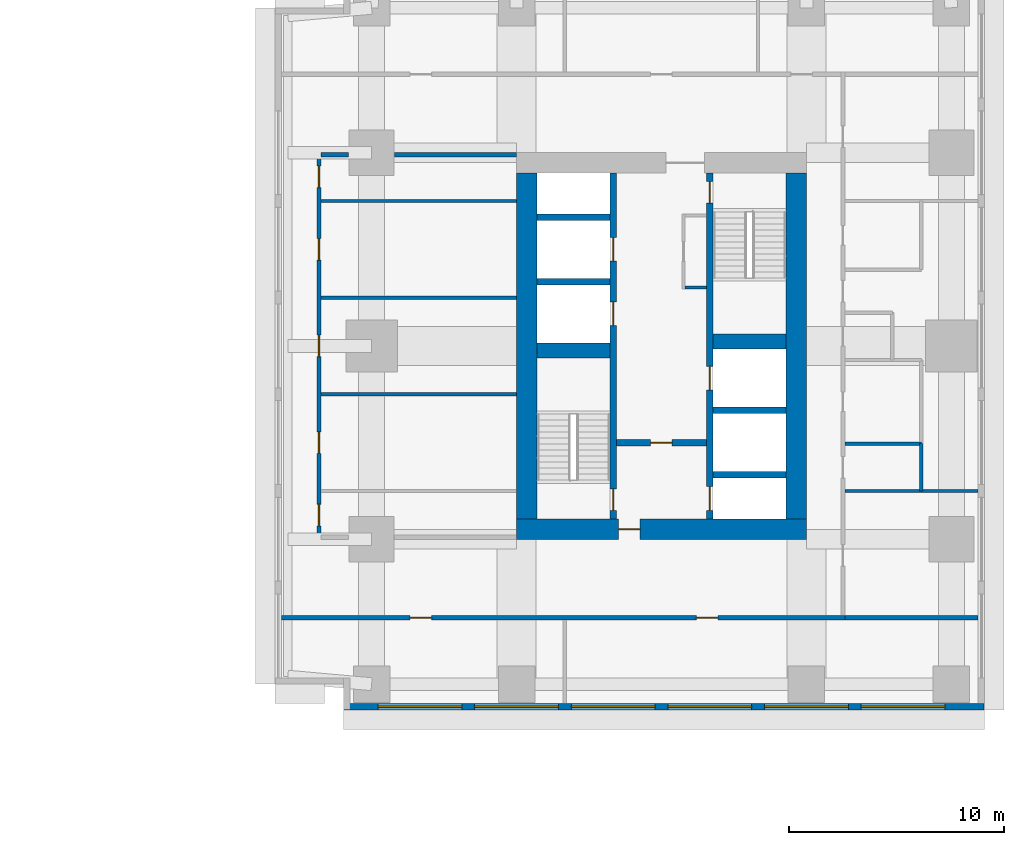
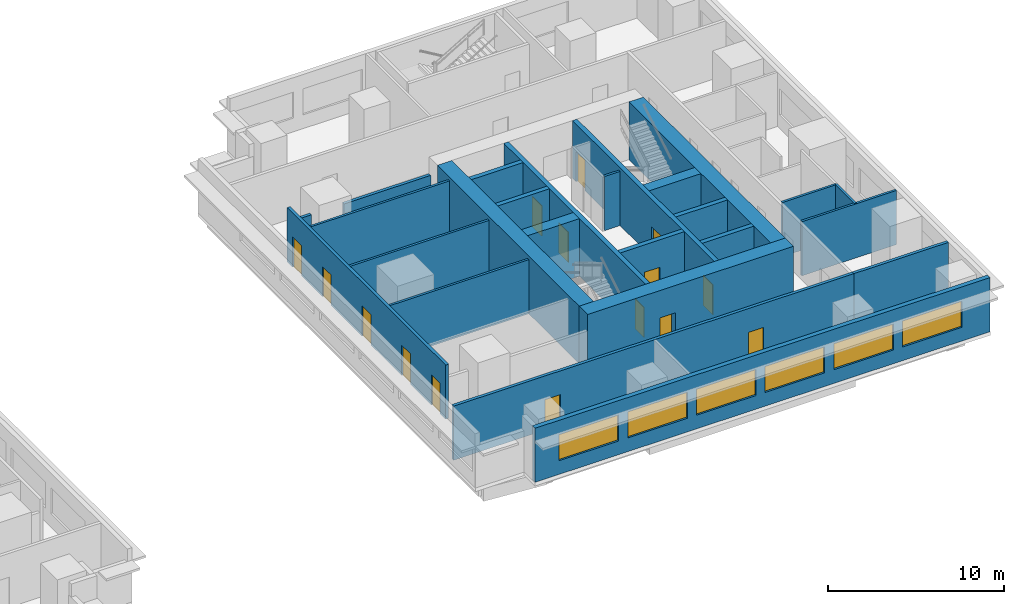
# One storey, part 6 of 11: 25 walls, 15 doors, 6 windows, 21 openings.
"""IFC4 building model written with IfcOpenShell, lengths in metres."""

from ifc_helpers import new_model, si_unit, direction, frame, frame_2d, origin, place, context, subcontext, project, spatial, rectangle, extrude, material, layer, layer_set, type_object, element, fill, save


model = new_model("IFC4")

# Units and contexts
model_context = context("Model", 3, precision=1e-05, world=origin(), true_north=direction((0.0, 1.0)))
body_context = subcontext(model_context, "Body", "Model", "MODEL_VIEW")
ifc_project = project(units=[si_unit("LENGTHUNIT", "METRE"), si_unit("AREAUNIT", "SQUARE_METRE"), si_unit("VOLUMEUNIT", "CUBIC_METRE"), si_unit("PLANEANGLEUNIT", "RADIAN"), si_unit("MASSUNIT", "GRAM", prefix="KILO")], contexts=[model_context])

# Site, building, storey
site_placement = place(None, origin())
site = spatial("IfcSite", under=ifc_project, at=site_placement, CompositionType="ELEMENT")
building_placement = place(site_placement, origin())
building = spatial("IfcBuilding", under=site, at=building_placement, Name="Namib Vertical Campus", CompositionType="ELEMENT")
storey_placement = place(building_placement, frame((0.0, 0.0, 89.0)))
storey = spatial("IfcBuildingStorey", under=building, at=storey_placement, Name="L20", CompositionType="ELEMENT", Elevation=89.0)

# Wall, openings, doors
ifc_material_1 = material(Name="Concrete C60/75", Category="concrete")
ifc_layer_1 = layer(ifc_material_1, 0.300048828125)
ifc_layer_set_1 = layer_set([ifc_layer_1], Name="Concrete C60/75")
wall_type_1 = type_object("IfcWallType", Name="Core inner wall 300", PredefinedType="SHEAR", material=ifc_layer_set_1)
wall_1_placement = place(storey_placement, frame((78.75, 12.199951171875, 0.0), z_axis=(0.0, 0.0, 1.0), x_axis=(0.0, 1.0, 0.0)))
wall_1 = element("IfcWall", 1, at=wall_1_placement, inside=storey, type_object=wall_type_1, Name="Core inner wall B L20 W1", PredefinedType="SHEAR", context=body_context, shape_type="SweptSolid", body=[
    extrude(rectangle(XDim=16.10009765625, YDim=0.300048828125, at=frame_2d((8.050048828125, 0.0))), origin(), (0.0, 0.0, 1.0), 4.0),
])
opening_1_placement = place(wall_1_placement, frame((0.39990234375, 0.0, 0.0)))
opening_1 = element("IfcOpeningElement", 2, at=opening_1_placement, cuts=wall_1, Name="Opening FD1", PredefinedType="OPENING", context=body_context, shape_type="SweptSolid", body=[
    extrude(rectangle(XDim=1.0, YDim=2.10009765625, at=frame_2d((0.5, 1.050048828125))), frame((0.0, 0.159912109375, 0.0), z_axis=(0.0, -1.0, 0.0), x_axis=(1.0, 0.0, 0.0)), (0.0, 0.0, 1.0), 0.320068359375),
])
opening_2_placement = place(wall_1_placement, frame((9.0, 0.0, 0.0)))
opening_2 = element("IfcOpeningElement", 3, at=opening_2_placement, cuts=wall_1, Name="Opening LD1", PredefinedType="OPENING", context=body_context, shape_type="SweptSolid", body=[
    extrude(rectangle(XDim=1.10009765625, YDim=2.10009765625, at=frame_2d((0.550048828125, 1.050048828125))), frame((0.0, 0.159912109375, 0.0), z_axis=(0.0, -1.0, 0.0), x_axis=(1.0, 0.0, 0.0)), (0.0, 0.0, 1.0), 0.320068359375),
])
opening_3_placement = place(wall_1_placement, frame((12.0, 0.0, 0.0)))
opening_3 = element("IfcOpeningElement", 4, at=opening_3_placement, cuts=wall_1, Name="Opening LD1", PredefinedType="OPENING", context=body_context, shape_type="SweptSolid", body=[
    extrude(rectangle(XDim=1.10009765625, YDim=2.10009765625, at=frame_2d((0.550048828125, 1.050048828125))), frame((0.0, 0.159912109375, 0.0), z_axis=(0.0, -1.0, 0.0), x_axis=(1.0, 0.0, 0.0)), (0.0, 0.0, 1.0), 0.320068359375),
])
ifc_material_2 = material(Name="Steel fire door", Category="steel")
door_type_1 = type_object("IfcDoorType", Name="Fire door 1000x2100", OperationType="SINGLE_SWING_RIGHT", PredefinedType="DOOR", material=ifc_material_2)
door_1_placement = place(opening_1_placement, origin())
door_1 = element("IfcDoor", 5, at=door_1_placement, inside=storey, type_object=door_type_1, Name="Stair door FD1 B L20 S1", OperationType="SINGLE_SWING_LEFT", OverallHeight=2.10009765625, OverallWidth=1.0, PredefinedType="DOOR", context=body_context, shape_type="SweptSolid", body=[
    extrude(rectangle(XDim=1.0, YDim=2.10009765625, at=frame_2d((0.5, 1.050048828125))), frame((0.0, 0.02490234375, 0.0), z_axis=(0.0, -1.0, 0.0), x_axis=(1.0, 0.0, 0.0)), (0.0, 0.0, 1.0), 0.050048828125),
])
fill(opening_1, door_1)
ifc_material_3 = material(Name="Stainless steel lift door", Category="steel")
door_type_2 = type_object("IfcDoorType", Name="Lift landing door 1100x2100", OperationType="DOUBLE_DOOR_SLIDING", PredefinedType="DOOR", material=ifc_material_3)
door_2_placement = place(opening_2_placement, origin())
door_2 = element("IfcDoor", 6, at=door_2_placement, inside=storey, type_object=door_type_2, Name="Lift landing door LD1 B-P1 L20", OperationType="DOUBLE_DOOR_SLIDING", OverallHeight=2.10009765625, OverallWidth=1.10009765625, PredefinedType="DOOR", context=body_context, shape_type="SweptSolid", body=[
    extrude(rectangle(XDim=1.10009765625, YDim=2.10009765625, at=frame_2d((0.550048828125, 1.050048828125))), frame((0.0, 0.02490234375, 0.0), z_axis=(0.0, -1.0, 0.0), x_axis=(1.0, 0.0, 0.0)), (0.0, 0.0, 1.0), 0.050048828125),
])
fill(opening_2, door_2)
door_3_placement = place(opening_3_placement, origin())
door_3 = element("IfcDoor", 7, at=door_3_placement, inside=storey, type_object=door_type_2, Name="Lift landing door LD1 B-P2 L20", OperationType="DOUBLE_DOOR_SLIDING", OverallHeight=2.10009765625, OverallWidth=1.10009765625, PredefinedType="DOOR", context=body_context, shape_type="SweptSolid", body=[
    extrude(rectangle(XDim=1.10009765625, YDim=2.10009765625, at=frame_2d((0.550048828125, 1.050048828125))), frame((0.0, 0.02490234375, 0.0), z_axis=(0.0, -1.0, 0.0), x_axis=(1.0, 0.0, 0.0)), (0.0, 0.0, 1.0), 0.050048828125),
])
fill(opening_3, door_3)

wall_2_placement = place(storey_placement, frame((83.25, 12.199951171875, 0.0), z_axis=(0.0, 0.0, 1.0), x_axis=(0.0, 1.0, 0.0)))
wall_2 = element("IfcWall", 8, at=wall_2_placement, inside=storey, type_object=wall_type_1, Name="Core inner wall B L20 W2", PredefinedType="SHEAR", context=body_context, shape_type="SweptSolid", body=[
    extrude(rectangle(XDim=16.10009765625, YDim=0.300048828125, at=frame_2d((8.050048828125, 0.0))), origin(), (0.0, 0.0, 1.0), 4.0),
])
opening_4_placement = place(wall_2_placement, frame((14.699951171875, 0.0, 0.0)))
opening_4 = element("IfcOpeningElement", 9, at=opening_4_placement, cuts=wall_2, Name="Opening FD1", PredefinedType="OPENING", context=body_context, shape_type="SweptSolid", body=[
    extrude(rectangle(XDim=1.0, YDim=2.10009765625, at=frame_2d((0.5, 1.050048828125))), frame((0.0, 0.159912109375, 0.0), z_axis=(0.0, -1.0, 0.0), x_axis=(1.0, 0.0, 0.0)), (0.0, 0.0, 1.0), 0.320068359375),
])
opening_5_placement = place(wall_2_placement, frame((0.39990234375, 0.0, 0.0)))
opening_5 = element("IfcOpeningElement", 10, at=opening_5_placement, cuts=wall_2, Name="Opening LD1", PredefinedType="OPENING", context=body_context, shape_type="SweptSolid", body=[
    extrude(rectangle(XDim=1.10009765625, YDim=2.10009765625, at=frame_2d((0.550048828125, 1.050048828125))), frame((0.0, 0.159912109375, 0.0), z_axis=(0.0, -1.0, 0.0), x_axis=(1.0, 0.0, 0.0)), (0.0, 0.0, 1.0), 0.320068359375),
])
opening_6_placement = place(wall_2_placement, frame((6.0, 0.0, 0.0)))
opening_6 = element("IfcOpeningElement", 11, at=opening_6_placement, cuts=wall_2, Name="Opening LD1", PredefinedType="OPENING", context=body_context, shape_type="SweptSolid", body=[
    extrude(rectangle(XDim=1.10009765625, YDim=2.10009765625, at=frame_2d((0.550048828125, 1.050048828125))), frame((0.0, 0.159912109375, 0.0), z_axis=(0.0, -1.0, 0.0), x_axis=(1.0, 0.0, 0.0)), (0.0, 0.0, 1.0), 0.320068359375),
])
door_4_placement = place(opening_4_placement, frame((1.0, 0.0, 0.0), z_axis=(0.0, 0.0, 1.0), x_axis=(-1.0, 0.0, 0.0)))
door_4 = element("IfcDoor", 12, at=door_4_placement, inside=storey, type_object=door_type_1, Name="Stair door FD1 B L20 S2", OperationType="SINGLE_SWING_LEFT", OverallHeight=2.10009765625, OverallWidth=1.0, PredefinedType="DOOR", context=body_context, shape_type="SweptSolid", body=[
    extrude(rectangle(XDim=1.0, YDim=2.10009765625, at=frame_2d((0.5, 1.050048828125))), frame((0.0, 0.02490234375, 0.0), z_axis=(0.0, -1.0, 0.0), x_axis=(1.0, 0.0, 0.0)), (0.0, 0.0, 1.0), 0.050048828125),
])
fill(opening_4, door_4)
door_5_placement = place(opening_5_placement, origin())
door_5 = element("IfcDoor", 13, at=door_5_placement, inside=storey, type_object=door_type_2, Name="Lift landing door LD1 B-FL1 L20", OperationType="DOUBLE_DOOR_SLIDING", OverallHeight=2.10009765625, OverallWidth=1.10009765625, PredefinedType="DOOR", context=body_context, shape_type="SweptSolid", body=[
    extrude(rectangle(XDim=1.10009765625, YDim=2.10009765625, at=frame_2d((0.550048828125, 1.050048828125))), frame((0.0, 0.02490234375, 0.0), z_axis=(0.0, -1.0, 0.0), x_axis=(1.0, 0.0, 0.0)), (0.0, 0.0, 1.0), 0.050048828125),
])
fill(opening_5, door_5)
door_6_placement = place(opening_6_placement, origin())
door_6 = element("IfcDoor", 14, at=door_6_placement, inside=storey, type_object=door_type_2, Name="Lift landing door LD1 B-P5 L20", OperationType="DOUBLE_DOOR_SLIDING", OverallHeight=2.10009765625, OverallWidth=1.10009765625, PredefinedType="DOOR", context=body_context, shape_type="SweptSolid", body=[
    extrude(rectangle(XDim=1.10009765625, YDim=2.10009765625, at=frame_2d((0.550048828125, 1.050048828125))), frame((0.0, 0.02490234375, 0.0), z_axis=(0.0, -1.0, 0.0), x_axis=(1.0, 0.0, 0.0)), (0.0, 0.0, 1.0), 0.050048828125),
])
fill(opening_6, door_6)

# Wall, opening, door
wall_3_placement = place(storey_placement, frame((78.89990234375, 15.75, 0.0), z_axis=(0.0, 0.0, 1.0), x_axis=(1.0, 0.0, 0.0)))
wall_3 = element("IfcWall", 15, at=wall_3_placement, inside=storey, type_object=wall_type_1, Name="Core inner wall B L20 W4", PredefinedType="SHEAR", context=body_context, shape_type="SweptSolid", body=[
    extrude(rectangle(XDim=4.2001953125, YDim=0.300048828125, at=frame_2d((2.10009765625, 0.0))), origin(), (0.0, 0.0, 1.0), 4.0),
])
opening_7_placement = place(wall_3_placement, frame((1.60009765625, 0.0, 0.0)))
opening_7 = element("IfcOpeningElement", 16, at=opening_7_placement, cuts=wall_3, Name="Opening FD5", PredefinedType="OPENING", context=body_context, shape_type="SweptSolid", body=[
    extrude(rectangle(XDim=1.0, YDim=2.10009765625, at=frame_2d((0.5, 1.050048828125))), frame((0.0, 0.159912109375, 0.0), z_axis=(0.0, -1.0, 0.0), x_axis=(1.0, 0.0, 0.0)), (0.0, 0.0, 1.0), 0.320068359375),
])
ifc_material_4 = material(Name="Steel fire door", Category="steel")
door_type_3 = type_object("IfcDoorType", Name="Fire door 1000x2100 120 min", OperationType="SINGLE_SWING_RIGHT", PredefinedType="DOOR", material=ifc_material_4)
door_7_placement = place(opening_7_placement, frame((1.0, 0.0, 0.0), z_axis=(0.0, 0.0, 1.0), x_axis=(-1.0, 0.0, 0.0)))
door_7 = element("IfcDoor", 17, at=door_7_placement, inside=storey, type_object=door_type_3, Name="Lobby door FD5 B L20", OperationType="SINGLE_SWING_RIGHT", OverallHeight=2.10009765625, OverallWidth=1.0, PredefinedType="DOOR", context=body_context, shape_type="SweptSolid", body=[
    extrude(rectangle(XDim=1.0, YDim=2.10009765625, at=frame_2d((0.5, 1.050048828125))), frame((0.0, 0.02490234375, 0.0), z_axis=(0.0, -1.0, 0.0), x_axis=(1.0, 0.0, 0.0)), (0.0, 0.0, 1.0), 0.050048828125),
])
fill(opening_7, door_7)

# Walls
for number, where, z_axis, x_axis, name in (
    (18, (83.39990234375, 14.25, 0.0), (0.0, 0.0, 1.0), (1.0, 0.0, 0.0), "Core inner wall B L20 W5"),
    (19, (83.39990234375, 17.25, 0.0), (0.0, 0.0, 1.0), (1.0, 0.0, 0.0), "Core inner wall B L20 W6"),
    (20, (75.199951171875, 23.25, 0.0), (0.0, 0.0, 1.0), (1.0, 0.0, 0.0), "Core inner wall B L20 W8"),
    (21, (75.199951171875, 26.25, 0.0), (0.0, 0.0, 1.0), (1.0, 0.0, 0.0), "Core inner wall B L20 W9"),
):
    element("IfcWall", number, at=place(storey_placement, frame(where, z_axis=z_axis, x_axis=x_axis)), inside=storey, type_object=wall_type_1, Name=name, PredefinedType="SHEAR", context=body_context, shape_type="SweptSolid", body=[
        extrude(rectangle(XDim=3.400146484375, YDim=0.300048828125, at=frame_2d((1.7001953125, 0.0))), origin(), (0.0, 0.0, 1.0), 4.0),
    ])
ifc_material_5 = material(Name="Concrete C60/75", Category="concrete")
ifc_layer_2 = layer(ifc_material_5, 0.699951171875)
ifc_layer_set_2 = layer_set([ifc_layer_2], Name="Concrete C60/75")
wall_type_2 = type_object("IfcWallType", Name="Core shear wall 700", PredefinedType="SHEAR", material=ifc_layer_set_2)
for number, where, z_axis, x_axis, name in (
    (22, (75.199951171875, 20.050048828125, 0.0), (0.0, 0.0, 1.0), (1.0, 0.0, 0.0), "Core shear wall B L20 W3"),
    (23, (83.39990234375, 20.449951171875, 0.0), (0.0, 0.0, 1.0), (1.0, 0.0, 0.0), "Core shear wall B L20 W7"),
):
    element("IfcWall", number, at=place(storey_placement, frame(where, z_axis=z_axis, x_axis=x_axis)), inside=storey, type_object=wall_type_2, Name=name, PredefinedType="SHEAR", context=body_context, shape_type="SweptSolid", body=[
        extrude(rectangle(XDim=3.400146484375, YDim=0.699951171875, at=frame_2d((1.7001953125, 0.0))), origin(), (0.0, 0.0, 1.0), 4.0),
    ])

# Wall, opening, door
ifc_material_6 = material(Name="Concrete C60/75", Category="concrete")
ifc_layer_3 = layer(ifc_material_6, 0.949951171875)
ifc_layer_set_3 = layer_set([ifc_layer_3], Name="Concrete C60/75")
wall_type_3 = type_object("IfcWallType", Name="Core wall 950", PredefinedType="SHEAR", material=ifc_layer_set_3)
wall_4_placement = place(storey_placement, frame((74.25, 11.72509765625, 0.0), z_axis=(0.0, 0.0, 1.0), x_axis=(1.0, 0.0, 0.0)))
wall_4 = element("IfcWall", 24, at=wall_4_placement, inside=storey, type_object=wall_type_3, Name="Core wall B L20 1", PredefinedType="SHEAR", context=body_context, shape_type="SweptSolid", body=[
    extrude(rectangle(XDim=13.5, YDim=0.949951171875, at=frame_2d((6.75, 0.0))), origin(), (0.0, 0.0, 1.0), 4.0),
])
opening_8_placement = place(wall_4_placement, frame((4.75, 0.0, 0.0)))
opening_8 = element("IfcOpeningElement", 25, at=opening_8_placement, cuts=wall_4, Name="Opening FD5", PredefinedType="OPENING", context=body_context, shape_type="SweptSolid", body=[
    extrude(rectangle(XDim=1.0, YDim=2.10009765625, at=frame_2d((0.5, 1.050048828125))), frame((0.0, 0.48486328125, 0.0), z_axis=(0.0, -1.0, 0.0), x_axis=(1.0, 0.0, 0.0)), (0.0, 0.0, 1.0), 0.969970703125),
])
door_8_placement = place(opening_8_placement, origin())
door_8 = element("IfcDoor", 26, at=door_8_placement, inside=storey, type_object=door_type_3, Name="Firefighting lobby door FD5 B L20", OperationType="SINGLE_SWING_LEFT", OverallHeight=2.10009765625, OverallWidth=1.0, PredefinedType="DOOR", context=body_context, shape_type="SweptSolid", body=[
    extrude(rectangle(XDim=1.0, YDim=2.10009765625, at=frame_2d((0.5, 1.050048828125))), frame((0.0, 0.02490234375, 0.0), z_axis=(0.0, -1.0, 0.0), x_axis=(1.0, 0.0, 0.0)), (0.0, 0.0, 1.0), 0.050048828125),
])
fill(opening_8, door_8)

# Walls
for number, where, z_axis, x_axis, name in (
    (27, (87.27490234375, 12.199951171875, 0.0), (0.0, 0.0, 1.0), (0.0, 1.0, 0.0), "Core wall B L20 2"),
    (28, (74.72509765625, 28.300048828125, 0.0), (0.0, 0.0, 1.0), (0.0, -1.0, 0.0), "Core wall B L20 4"),
):
    element("IfcWall", number, at=place(storey_placement, frame(where, z_axis=z_axis, x_axis=x_axis)), inside=storey, type_object=wall_type_3, Name=name, PredefinedType="SHEAR", context=body_context, shape_type="SweptSolid", body=[
        extrude(rectangle(XDim=16.10009765625, YDim=0.949951171875, at=frame_2d((8.050048828125, 0.0))), origin(), (0.0, 0.0, 1.0), 4.0),
    ])

# Wall, openings, doors
ifc_material_7 = material(Name="Concrete masonry", Category="masonry")
ifc_layer_4 = layer(ifc_material_7, 0.199951171875)
ifc_layer_set_4 = layer_set([ifc_layer_4], Name="Corridor wall 200")
wall_type_4 = type_object("IfcWallType", Name="Corridor wall 200", PredefinedType="SOLIDWALL", material=ifc_layer_set_4)
wall_5_placement = place(storey_placement, frame((63.300048828125, 7.60009765625, 0.0), z_axis=(0.0, 0.0, 1.0), x_axis=(1.0, 0.0, 0.0)))
wall_5 = element("IfcWall", 29, at=wall_5_placement, inside=storey, type_object=wall_type_4, Name="Corridor wall B L20 CS", PredefinedType="SOLIDWALL", context=body_context, shape_type="SweptSolid", body=[
    extrude(rectangle(XDim=26.25, YDim=0.199951171875, at=frame_2d((13.125, 0.0))), origin(), (0.0, 0.0, 1.0), 3.75),
])
opening_9_placement = place(wall_5_placement, frame((6.0, 0.0, 0.0)))
opening_9 = element("IfcOpeningElement", 30, at=opening_9_placement, cuts=wall_5, Name="Opening CD1", PredefinedType="OPENING", context=body_context, shape_type="SweptSolid", body=[
    extrude(rectangle(XDim=1.0, YDim=2.10009765625, at=frame_2d((0.5, 1.050048828125))), frame((0.0, 0.10986328125, 0.0), z_axis=(0.0, -1.0, 0.0), x_axis=(1.0, 0.0, 0.0)), (0.0, 0.0, 1.0), 0.219970703125),
])
opening_10_placement = place(wall_5_placement, frame((19.324951171875, 0.0, 0.0)))
opening_10 = element("IfcOpeningElement", 31, at=opening_10_placement, cuts=wall_5, Name="Opening CD1", PredefinedType="OPENING", context=body_context, shape_type="SweptSolid", body=[
    extrude(rectangle(XDim=1.0, YDim=2.10009765625, at=frame_2d((0.5, 1.050048828125))), frame((0.0, 0.10986328125, 0.0), z_axis=(0.0, -1.0, 0.0), x_axis=(1.0, 0.0, 0.0)), (0.0, 0.0, 1.0), 0.219970703125),
])
ifc_material_8 = material(Name="Timber fire door leaf", Category="wood")
door_type_4 = type_object("IfcDoorType", Name="Corridor door 1000x2100 20 min", OperationType="SINGLE_SWING_LEFT", PredefinedType="DOOR", material=ifc_material_8)
door_9_placement = place(opening_9_placement, frame((1.0, 0.0, 0.0), z_axis=(0.0, 0.0, 1.0), x_axis=(-1.0, 0.0, 0.0)))
door_9 = element("IfcDoor", 32, at=door_9_placement, inside=storey, type_object=door_type_4, Name="Door CD1 B20-01", OperationType="SINGLE_SWING_LEFT", OverallHeight=2.10009765625, OverallWidth=1.0, PredefinedType="DOOR", context=body_context, shape_type="SweptSolid", body=[
    extrude(rectangle(XDim=1.0, YDim=2.10009765625, at=frame_2d((0.5, 1.050048828125))), frame((0.0, 0.02490234375, 0.0), z_axis=(0.0, -1.0, 0.0), x_axis=(1.0, 0.0, 0.0)), (0.0, 0.0, 1.0), 0.050048828125),
])
fill(opening_9, door_9)
door_10_placement = place(opening_10_placement, frame((1.0, 0.0, 0.0), z_axis=(0.0, 0.0, 1.0), x_axis=(-1.0, 0.0, 0.0)))
door_10 = element("IfcDoor", 33, at=door_10_placement, inside=storey, type_object=door_type_4, Name="Door CD1 B20-02", OperationType="SINGLE_SWING_RIGHT", OverallHeight=2.10009765625, OverallWidth=1.0, PredefinedType="DOOR", context=body_context, shape_type="SweptSolid", body=[
    extrude(rectangle(XDim=1.0, YDim=2.10009765625, at=frame_2d((0.5, 1.050048828125))), frame((0.0, 0.02490234375, 0.0), z_axis=(0.0, -1.0, 0.0), x_axis=(1.0, 0.0, 0.0)), (0.0, 0.0, 1.0), 0.050048828125),
])
fill(opening_10, door_10)

wall_6_placement = place(storey_placement, frame((65.050048828125, 29.25, 0.0), z_axis=(0.0, 0.0, 1.0), x_axis=(0.0, -1.0, 0.0)))
wall_6 = element("IfcWall", 34, at=wall_6_placement, inside=storey, type_object=wall_type_4, Name="Corridor wall B L20 CG", PredefinedType="SOLIDWALL", context=body_context, shape_type="SweptSolid", body=[
    extrude(rectangle(XDim=18.0, YDim=0.199951171875, at=frame_2d((9.0, 0.0))), origin(), (0.0, 0.0, 1.0), 3.75),
])
opening_11_placement = place(wall_6_placement, frame((16.375, 0.0, 0.0)))
opening_11 = element("IfcOpeningElement", 35, at=opening_11_placement, cuts=wall_6, Name="Opening CD1", PredefinedType="OPENING", context=body_context, shape_type="SweptSolid", body=[
    extrude(rectangle(XDim=1.0, YDim=2.10009765625, at=frame_2d((0.5, 1.050048828125))), frame((0.0, 0.10986328125, 0.0), z_axis=(0.0, -1.0, 0.0), x_axis=(1.0, 0.0, 0.0)), (0.0, 0.0, 1.0), 0.219970703125),
])
opening_12_placement = place(wall_6_placement, frame((13.0, 0.0, 0.0)))
opening_12 = element("IfcOpeningElement", 36, at=opening_12_placement, cuts=wall_6, Name="Opening CD1", PredefinedType="OPENING", context=body_context, shape_type="SweptSolid", body=[
    extrude(rectangle(XDim=1.0, YDim=2.10009765625, at=frame_2d((0.5, 1.050048828125))), frame((0.0, 0.10986328125, 0.0), z_axis=(0.0, -1.0, 0.0), x_axis=(1.0, 0.0, 0.0)), (0.0, 0.0, 1.0), 0.219970703125),
])
opening_13_placement = place(wall_6_placement, frame((8.5, 0.0, 0.0)))
opening_13 = element("IfcOpeningElement", 37, at=opening_13_placement, cuts=wall_6, Name="Opening CD1", PredefinedType="OPENING", context=body_context, shape_type="SweptSolid", body=[
    extrude(rectangle(XDim=1.0, YDim=2.10009765625, at=frame_2d((0.5, 1.050048828125))), frame((0.0, 0.10986328125, 0.0), z_axis=(0.0, -1.0, 0.0), x_axis=(1.0, 0.0, 0.0)), (0.0, 0.0, 1.0), 0.219970703125),
])
opening_14_placement = place(wall_6_placement, frame((4.0, 0.0, 0.0)))
opening_14 = element("IfcOpeningElement", 38, at=opening_14_placement, cuts=wall_6, Name="Opening CD1", PredefinedType="OPENING", context=body_context, shape_type="SweptSolid", body=[
    extrude(rectangle(XDim=1.0, YDim=2.10009765625, at=frame_2d((0.5, 1.050048828125))), frame((0.0, 0.10986328125, 0.0), z_axis=(0.0, -1.0, 0.0), x_axis=(1.0, 0.0, 0.0)), (0.0, 0.0, 1.0), 0.219970703125),
])
opening_15_placement = place(wall_6_placement, frame((0.625, 0.0, 0.0)))
opening_15 = element("IfcOpeningElement", 39, at=opening_15_placement, cuts=wall_6, Name="Opening CD1", PredefinedType="OPENING", context=body_context, shape_type="SweptSolid", body=[
    extrude(rectangle(XDim=1.0, YDim=2.10009765625, at=frame_2d((0.5, 1.050048828125))), frame((0.0, 0.10986328125, 0.0), z_axis=(0.0, -1.0, 0.0), x_axis=(1.0, 0.0, 0.0)), (0.0, 0.0, 1.0), 0.219970703125),
])
door_11_placement = place(opening_11_placement, origin())
door_11 = element("IfcDoor", 40, at=door_11_placement, inside=storey, type_object=door_type_4, Name="Door CD1 B20-13", OperationType="SINGLE_SWING_LEFT", OverallHeight=2.10009765625, OverallWidth=1.0, PredefinedType="DOOR", context=body_context, shape_type="SweptSolid", body=[
    extrude(rectangle(XDim=1.0, YDim=2.10009765625, at=frame_2d((0.5, 1.050048828125))), frame((0.0, 0.02490234375, 0.0), z_axis=(0.0, -1.0, 0.0), x_axis=(1.0, 0.0, 0.0)), (0.0, 0.0, 1.0), 0.050048828125),
])
fill(opening_11, door_11)
door_12_placement = place(opening_12_placement, origin())
door_12 = element("IfcDoor", 41, at=door_12_placement, inside=storey, type_object=door_type_4, Name="Door CD1 B20-14", OperationType="SINGLE_SWING_LEFT", OverallHeight=2.10009765625, OverallWidth=1.0, PredefinedType="DOOR", context=body_context, shape_type="SweptSolid", body=[
    extrude(rectangle(XDim=1.0, YDim=2.10009765625, at=frame_2d((0.5, 1.050048828125))), frame((0.0, 0.02490234375, 0.0), z_axis=(0.0, -1.0, 0.0), x_axis=(1.0, 0.0, 0.0)), (0.0, 0.0, 1.0), 0.050048828125),
])
fill(opening_12, door_12)
door_13_placement = place(opening_13_placement, origin())
door_13 = element("IfcDoor", 42, at=door_13_placement, inside=storey, type_object=door_type_4, Name="Door CD1 B20-15", OperationType="SINGLE_SWING_LEFT", OverallHeight=2.10009765625, OverallWidth=1.0, PredefinedType="DOOR", context=body_context, shape_type="SweptSolid", body=[
    extrude(rectangle(XDim=1.0, YDim=2.10009765625, at=frame_2d((0.5, 1.050048828125))), frame((0.0, 0.02490234375, 0.0), z_axis=(0.0, -1.0, 0.0), x_axis=(1.0, 0.0, 0.0)), (0.0, 0.0, 1.0), 0.050048828125),
])
fill(opening_13, door_13)
door_14_placement = place(opening_14_placement, origin())
door_14 = element("IfcDoor", 43, at=door_14_placement, inside=storey, type_object=door_type_4, Name="Door CD1 B20-16", OperationType="SINGLE_SWING_LEFT", OverallHeight=2.10009765625, OverallWidth=1.0, PredefinedType="DOOR", context=body_context, shape_type="SweptSolid", body=[
    extrude(rectangle(XDim=1.0, YDim=2.10009765625, at=frame_2d((0.5, 1.050048828125))), frame((0.0, 0.02490234375, 0.0), z_axis=(0.0, -1.0, 0.0), x_axis=(1.0, 0.0, 0.0)), (0.0, 0.0, 1.0), 0.050048828125),
])
fill(opening_14, door_14)
door_15_placement = place(opening_15_placement, origin())
door_15 = element("IfcDoor", 44, at=door_15_placement, inside=storey, type_object=door_type_4, Name="Door CD1 B20-17", OperationType="SINGLE_SWING_LEFT", OverallHeight=2.10009765625, OverallWidth=1.0, PredefinedType="DOOR", context=body_context, shape_type="SweptSolid", body=[
    extrude(rectangle(XDim=1.0, YDim=2.10009765625, at=frame_2d((0.5, 1.050048828125))), frame((0.0, 0.02490234375, 0.0), z_axis=(0.0, -1.0, 0.0), x_axis=(1.0, 0.0, 0.0)), (0.0, 0.0, 1.0), 0.050048828125),
])
fill(opening_15, door_15)

# Walls
wall_7_placement = place(storey_placement, frame((65.14990234375, 29.14990234375, 0.0), z_axis=(0.0, 0.0, 1.0), x_axis=(1.0, 0.0, 0.0)))
element("IfcWall", 45, at=wall_7_placement, inside=storey, type_object=wall_type_4, Name="Corridor wall B L20 GN", PredefinedType="SOLIDWALL", context=body_context, shape_type="SweptSolid", body=[
    extrude(rectangle(XDim=1.280029296875, YDim=0.199951171875, at=frame_2d((0.64013671875, 0.0))), origin(), (0.0, 0.0, 1.0), 2.85009765625),
])
wall_8_placement = place(storey_placement, frame((68.570068359375, 29.14990234375, 0.0), z_axis=(0.0, 0.0, 1.0), x_axis=(1.0, 0.0, 0.0)))
element("IfcWall", 46, at=wall_8_placement, inside=storey, type_object=wall_type_4, Name="Corridor wall B L20 GN", PredefinedType="SOLIDWALL", context=body_context, shape_type="SweptSolid", body=[
    extrude(rectangle(XDim=5.679931640625, YDim=0.199951171875, at=frame_2d((2.83984375, 0.0))), origin(), (0.0, 0.0, 1.0), 2.85009765625),
])
wall_9_placement = place(storey_placement, frame((89.550048828125, 7.60009765625, 0.0), z_axis=(0.0, 0.0, 1.0), x_axis=(1.0, 0.0, 0.0)))
element("IfcWall", 47, at=wall_9_placement, inside=storey, type_object=wall_type_4, Name="Partition B L20 BSE", PredefinedType="SOLIDWALL", context=body_context, shape_type="SweptSolid", body=[
    extrude(rectangle(XDim=6.199951171875, YDim=0.199951171875, at=frame_2d((3.10009765625, 0.0))), origin(), (0.0, 0.0, 1.0), 3.75),
])

# Wall, openings, windows
ifc_material_9 = material(Name="Concrete C40/50", Category="concrete")
ifc_layer_5 = layer(ifc_material_9, 0.300048828125)
ifc_layer_set_5 = layer_set([ifc_layer_5], Name="Concrete C40/50")
wall_type_5 = type_object("IfcWallType", Name="External wall 300 board-marked concrete", PredefinedType="STANDARD", material=ifc_layer_set_5)
wall_10_placement = place(storey_placement, frame((66.219970703125, 3.449951171875, 0.0), z_axis=(0.0, 0.0, 1.0), x_axis=(1.0, 0.0, 0.0)))
wall_10 = element("IfcWall", 48, at=wall_10_placement, inside=storey, type_object=wall_type_5, Name="External wall L20 F03", PredefinedType="STANDARD", context=body_context, shape_type="SweptSolid", body=[
    extrude(rectangle(XDim=29.81005859375, YDim=0.300048828125, at=frame_2d((14.905029296875, 0.0))), origin(), (0.0, 0.0, 1.0), 3.75),
])
opening_16_placement = place(wall_10_placement, frame((1.580078125, 0.0, 0.949951171875)))
opening_16 = element("IfcOpeningElement", 49, at=opening_16_placement, cuts=wall_10, Name="Opening W3", PredefinedType="OPENING", context=body_context, shape_type="SweptSolid", body=[
    extrude(rectangle(XDim=3.89990234375, YDim=1.800048828125, at=frame_2d((1.949951171875, 0.89990234375))), frame((0.0, 0.159912109375, 0.0), z_axis=(0.0, -1.0, 0.0), x_axis=(1.0, 0.0, 0.0)), (0.0, 0.0, 1.0), 0.320068359375),
])
opening_17_placement = place(wall_10_placement, frame((6.080078125, 0.0, 0.949951171875)))
opening_17 = element("IfcOpeningElement", 50, at=opening_17_placement, cuts=wall_10, Name="Opening W3", PredefinedType="OPENING", context=body_context, shape_type="SweptSolid", body=[
    extrude(rectangle(XDim=3.89990234375, YDim=1.800048828125, at=frame_2d((1.949951171875, 0.89990234375))), frame((0.0, 0.159912109375, 0.0), z_axis=(0.0, -1.0, 0.0), x_axis=(1.0, 0.0, 0.0)), (0.0, 0.0, 1.0), 0.320068359375),
])
opening_18_placement = place(wall_10_placement, frame((10.580078125, 0.0, 0.949951171875)))
opening_18 = element("IfcOpeningElement", 51, at=opening_18_placement, cuts=wall_10, Name="Opening W3", PredefinedType="OPENING", context=body_context, shape_type="SweptSolid", body=[
    extrude(rectangle(XDim=3.89990234375, YDim=1.800048828125, at=frame_2d((1.949951171875, 0.89990234375))), frame((0.0, 0.159912109375, 0.0), z_axis=(0.0, -1.0, 0.0), x_axis=(1.0, 0.0, 0.0)), (0.0, 0.0, 1.0), 0.320068359375),
])
opening_19_placement = place(wall_10_placement, frame((15.080078125, 0.0, 0.949951171875)))
opening_19 = element("IfcOpeningElement", 52, at=opening_19_placement, cuts=wall_10, Name="Opening W3", PredefinedType="OPENING", context=body_context, shape_type="SweptSolid", body=[
    extrude(rectangle(XDim=3.89990234375, YDim=1.800048828125, at=frame_2d((1.949951171875, 0.89990234375))), frame((0.0, 0.159912109375, 0.0), z_axis=(0.0, -1.0, 0.0), x_axis=(1.0, 0.0, 0.0)), (0.0, 0.0, 1.0), 0.320068359375),
])
opening_20_placement = place(wall_10_placement, frame((19.580078125, 0.0, 0.949951171875)))
opening_20 = element("IfcOpeningElement", 53, at=opening_20_placement, cuts=wall_10, Name="Opening W3", PredefinedType="OPENING", context=body_context, shape_type="SweptSolid", body=[
    extrude(rectangle(XDim=3.89990234375, YDim=1.800048828125, at=frame_2d((1.949951171875, 0.89990234375))), frame((0.0, 0.159912109375, 0.0), z_axis=(0.0, -1.0, 0.0), x_axis=(1.0, 0.0, 0.0)), (0.0, 0.0, 1.0), 0.320068359375),
])
opening_21_placement = place(wall_10_placement, frame((24.080078125, 0.0, 0.949951171875)))
opening_21 = element("IfcOpeningElement", 54, at=opening_21_placement, cuts=wall_10, Name="Opening W3", PredefinedType="OPENING", context=body_context, shape_type="SweptSolid", body=[
    extrude(rectangle(XDim=3.89990234375, YDim=1.800048828125, at=frame_2d((1.949951171875, 0.89990234375))), frame((0.0, 0.159912109375, 0.0), z_axis=(0.0, -1.0, 0.0), x_axis=(1.0, 0.0, 0.0)), (0.0, 0.0, 1.0), 0.320068359375),
])
ifc_material_10 = material(Name="Dark tinted glass in black aluminium frame", Category="aluminium")
window_type = type_object("IfcWindowType", Name="Ribbon window 3900x1800", PartitioningType="SINGLE_PANEL", PredefinedType="WINDOW", material=ifc_material_10)
window_1_placement = place(opening_16_placement, origin())
window_1 = element("IfcWindow", 55, at=window_1_placement, inside=storey, type_object=window_type, Name="Window W3 L20 F03-1", OverallHeight=1.800048828125, OverallWidth=3.89990234375, PartitioningType="SINGLE_PANEL", PredefinedType="WINDOW", context=body_context, shape_type="SweptSolid", body=[
    extrude(rectangle(XDim=3.89990234375, YDim=1.800048828125, at=frame_2d((1.949951171875, 0.89990234375))), frame((0.0, 0.030029296875, 0.0), z_axis=(0.0, -1.0, 0.0), x_axis=(1.0, 0.0, 0.0)), (0.0, 0.0, 1.0), 0.06005859375),
])
fill(opening_16, window_1)
window_2_placement = place(opening_17_placement, origin())
window_2 = element("IfcWindow", 56, at=window_2_placement, inside=storey, type_object=window_type, Name="Window W3 L20 F03-2", OverallHeight=1.800048828125, OverallWidth=3.89990234375, PartitioningType="SINGLE_PANEL", PredefinedType="WINDOW", context=body_context, shape_type="SweptSolid", body=[
    extrude(rectangle(XDim=3.89990234375, YDim=1.800048828125, at=frame_2d((1.949951171875, 0.89990234375))), frame((0.0, 0.030029296875, 0.0), z_axis=(0.0, -1.0, 0.0), x_axis=(1.0, 0.0, 0.0)), (0.0, 0.0, 1.0), 0.06005859375),
])
fill(opening_17, window_2)
window_3_placement = place(opening_18_placement, origin())
window_3 = element("IfcWindow", 57, at=window_3_placement, inside=storey, type_object=window_type, Name="Window W3 L20 F03-3", OverallHeight=1.800048828125, OverallWidth=3.89990234375, PartitioningType="SINGLE_PANEL", PredefinedType="WINDOW", context=body_context, shape_type="SweptSolid", body=[
    extrude(rectangle(XDim=3.89990234375, YDim=1.800048828125, at=frame_2d((1.949951171875, 0.89990234375))), frame((0.0, 0.030029296875, 0.0), z_axis=(0.0, -1.0, 0.0), x_axis=(1.0, 0.0, 0.0)), (0.0, 0.0, 1.0), 0.06005859375),
])
fill(opening_18, window_3)
window_4_placement = place(opening_19_placement, origin())
window_4 = element("IfcWindow", 58, at=window_4_placement, inside=storey, type_object=window_type, Name="Window W3 L20 F03-4", OverallHeight=1.800048828125, OverallWidth=3.89990234375, PartitioningType="SINGLE_PANEL", PredefinedType="WINDOW", context=body_context, shape_type="SweptSolid", body=[
    extrude(rectangle(XDim=3.89990234375, YDim=1.800048828125, at=frame_2d((1.949951171875, 0.89990234375))), frame((0.0, 0.030029296875, 0.0), z_axis=(0.0, -1.0, 0.0), x_axis=(1.0, 0.0, 0.0)), (0.0, 0.0, 1.0), 0.06005859375),
])
fill(opening_19, window_4)
window_5_placement = place(opening_20_placement, origin())
window_5 = element("IfcWindow", 59, at=window_5_placement, inside=storey, type_object=window_type, Name="Window W3 L20 F03-5", OverallHeight=1.800048828125, OverallWidth=3.89990234375, PartitioningType="SINGLE_PANEL", PredefinedType="WINDOW", context=body_context, shape_type="SweptSolid", body=[
    extrude(rectangle(XDim=3.89990234375, YDim=1.800048828125, at=frame_2d((1.949951171875, 0.89990234375))), frame((0.0, 0.030029296875, 0.0), z_axis=(0.0, -1.0, 0.0), x_axis=(1.0, 0.0, 0.0)), (0.0, 0.0, 1.0), 0.06005859375),
])
fill(opening_20, window_5)
window_6_placement = place(opening_21_placement, origin())
window_6 = element("IfcWindow", 60, at=window_6_placement, inside=storey, type_object=window_type, Name="Window W3 L20 F03-6", OverallHeight=1.800048828125, OverallWidth=3.89990234375, PartitioningType="SINGLE_PANEL", PredefinedType="WINDOW", context=body_context, shape_type="SweptSolid", body=[
    extrude(rectangle(XDim=3.89990234375, YDim=1.800048828125, at=frame_2d((1.949951171875, 0.89990234375))), frame((0.0, 0.030029296875, 0.0), z_axis=(0.0, -1.0, 0.0), x_axis=(1.0, 0.0, 0.0)), (0.0, 0.0, 1.0), 0.06005859375),
])
fill(opening_21, window_6)

# Walls
ifc_material_11 = material(Name="Gypsum board on steel studs", Category="steel")
ifc_layer_6 = layer(ifc_material_11, 0.14990234375)
ifc_layer_set_6 = layer_set([ifc_layer_6], Name="Gypsum board on steel studs")
wall_type_6 = type_object("IfcWallType", Name="Partition 150", PredefinedType="PARTITIONING", material=ifc_layer_set_6)
wall_11_placement = place(storey_placement, frame((82.10009765625, 22.97509765625, 0.0), z_axis=(0.0, 0.0, 1.0), x_axis=(1.0, 0.0, 0.0)))
element("IfcWall", 61, at=wall_11_placement, inside=storey, type_object=wall_type_6, Name="Partition B L20 Staff pantry end 1", PredefinedType="PARTITIONING", context=body_context, shape_type="SweptSolid", body=[
    extrude(rectangle(XDim=1.0, YDim=0.14990234375, at=frame_2d((0.5, 0.0))), origin(), (0.0, 0.0, 1.0), 3.75),
])
wall_12_placement = place(storey_placement, frame((89.550048828125, 13.5, 0.0), z_axis=(0.0, 0.0, 1.0), x_axis=(1.0, 0.0, 0.0)))
element("IfcWall", 62, at=wall_12_placement, inside=storey, type_object=wall_type_6, Name="Partition B L20 PE1", PredefinedType="PARTITIONING", context=body_context, shape_type="SweptSolid", body=[
    extrude(rectangle(XDim=6.199951171875, YDim=0.14990234375, at=frame_2d((3.10009765625, 0.0))), origin(), (0.0, 0.0, 1.0), 3.75),
])
for number, where, z_axis, x_axis, name in (
    (63, (65.14990234375, 18.0, 0.0), (0.0, 0.0, 1.0), (1.0, 0.0, 0.0), "Partition B L20 PW2"),
    (64, (65.14990234375, 22.5, 0.0), (0.0, 0.0, 1.0), (1.0, 0.0, 0.0), "Partition B L20 PW3"),
    (65, (65.14990234375, 27.0, 0.0), (0.0, 0.0, 1.0), (1.0, 0.0, 0.0), "Partition B L20 PW4"),
):
    element("IfcWall", number, at=place(storey_placement, frame(where, z_axis=z_axis, x_axis=x_axis)), inside=storey, type_object=wall_type_6, Name=name, PredefinedType="PARTITIONING", context=body_context, shape_type="SweptSolid", body=[
        extrude(rectangle(XDim=9.10009765625, YDim=0.14990234375, at=frame_2d((4.550048828125, 0.0))), origin(), (0.0, 0.0, 1.0), 3.75),
    ])
wall_13_placement = place(storey_placement, frame((89.550048828125, 15.699951171875, 0.0), z_axis=(0.0, 0.0, 1.0), x_axis=(1.0, 0.0, 0.0)))
element("IfcWall", 66, at=wall_13_placement, inside=storey, type_object=wall_type_6, Name="Partition B L20 WR1", PredefinedType="PARTITIONING", context=body_context, shape_type="SweptSolid", body=[
    extrude(rectangle(XDim=3.550048828125, YDim=0.14990234375, at=frame_2d((1.77490234375, 0.0))), origin(), (0.0, 0.0, 1.0), 3.75),
])
wall_14_placement = place(storey_placement, frame((93.10009765625, 13.5, 0.0), z_axis=(0.0, 0.0, 1.0), x_axis=(0.0, 1.0, 0.0)))
element("IfcWall", 67, at=wall_14_placement, inside=storey, type_object=wall_type_6, Name="Partition B L20 WB1", PredefinedType="PARTITIONING", context=body_context, shape_type="SweptSolid", body=[
    extrude(rectangle(XDim=2.199951171875, YDim=0.14990234375, at=frame_2d((1.10009765625, 0.0))), origin(), (0.0, 0.0, 1.0), 3.75),
])

save(model, "model.ifc")
